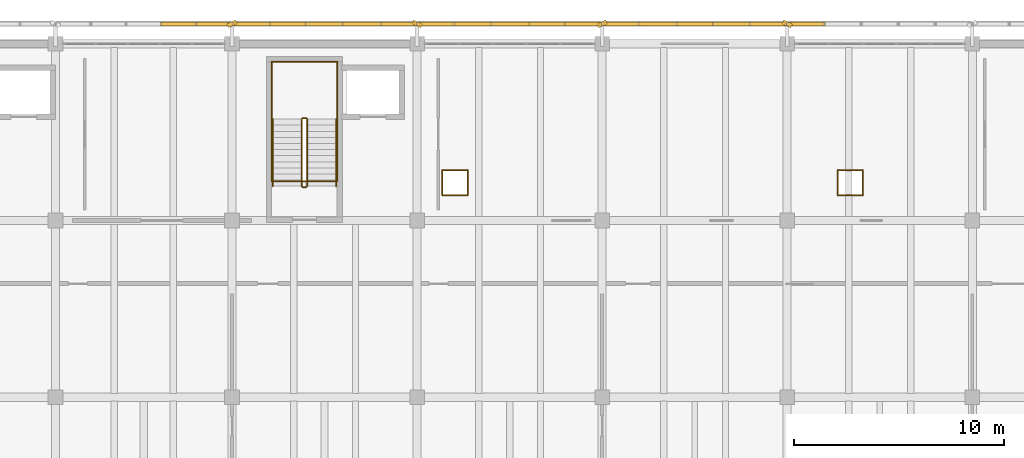
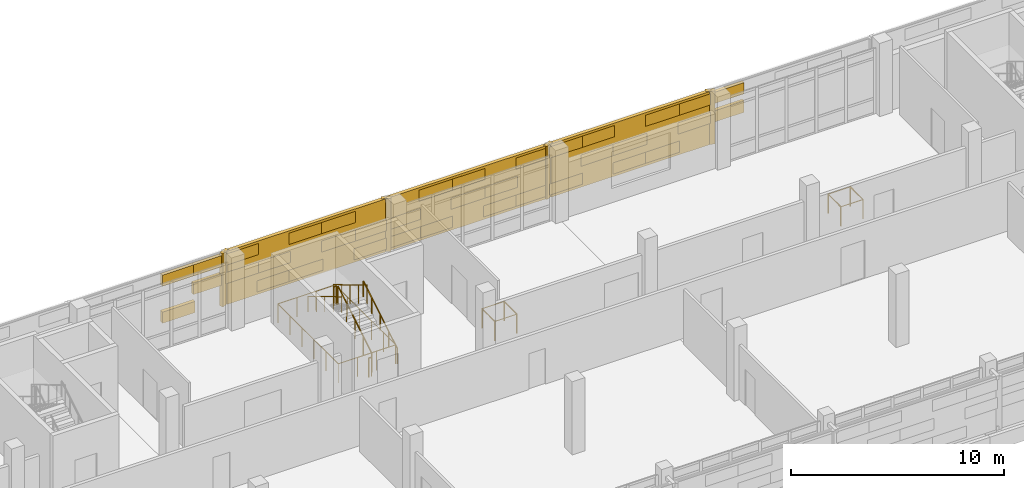
# One storey, part 133 of 137: 40 coverings, 18 railings, 3 shading devices.
"""IFC4 building model written with IfcOpenShell, lengths in metres."""

from ifc_helpers import new_model, si_unit, direction, frame, origin, origin_2d, place, context, subcontext, project, spatial, rectangle, circle, extrude, material, layer, layer_set, type_object, element, save


model = new_model("IFC4")

# Units and contexts
model_context = context("Model", 3, precision=1e-05, world=origin(), true_north=direction((0.0, 1.0)))
body_context = subcontext(model_context, "Body", "Model", "MODEL_VIEW")
ifc_project = project(units=[si_unit("LENGTHUNIT", "METRE"), si_unit("AREAUNIT", "SQUARE_METRE"), si_unit("VOLUMEUNIT", "CUBIC_METRE"), si_unit("PLANEANGLEUNIT", "RADIAN"), si_unit("MASSUNIT", "GRAM", prefix="KILO")], contexts=[model_context])

# Site, building, storey
site_placement = place(None, origin())
site = spatial("IfcSite", under=ifc_project, at=site_placement, CompositionType="ELEMENT")
building_placement = place(site_placement, origin())
building = spatial("IfcBuilding", under=site, at=building_placement, Name="Cinderway Yard Community Centre", CompositionType="ELEMENT")
storey_placement = place(building_placement, frame((0.0, 0.0, 4.800048828125)))
storey = spatial("IfcBuildingStorey", under=building, at=storey_placement, Name="L01", CompositionType="ELEMENT", Elevation=4.800048828125)

# Coverings
ifc_material_1 = material(Name="Brick Masonry", Category="masonry")
ifc_layer = layer(ifc_material_1, 0.18994140625, Name="Brick Masonry")
ifc_layer_set = layer_set([ifc_layer], Name="Brick Masonry")
covering_type = type_object("IfcCoveringType", Name="ENV-COV-BRK-SCREEN", PredefinedType="CLADDING", material=ifc_layer_set)
for number, where, z_axis, x_axis, name in (
    (1, (75.199951171875, 116.14990234375, 0.64990234375), (0.0, 0.0, 1.0), (0.913545457643, 0.406736643076, 0.0), "Deconstructivist folded brick fin 0005"),
    (2, (84.0, 116.14990234375, 0.64990234375), (0.0, 0.0, 1.0), (0.913545457643, -0.406736643076, 0.0), "Deconstructivist folded brick fin 0006"),
    (3, (92.800048828125, 116.14990234375, 0.64990234375), (0.0, 0.0, 1.0), (0.913545457643, 0.406736643076, 0.0), "Deconstructivist folded brick fin 0007"),
    (4, (101.60009765625, 116.14990234375, 0.64990234375), (0.0, 0.0, 1.0), (0.913545457643, -0.406736643076, 0.0), "Deconstructivist folded brick fin 0008"),
):
    element("IfcCovering", number, at=place(storey_placement, frame(where, z_axis=z_axis, x_axis=x_axis)), inside=storey, type_object=covering_type, Name=name, PredefinedType="CLADDING", context=body_context, shape_type="SweptSolid", body=[
        extrude(rectangle(XDim=0.4599609375, YDim=0.199951171875, at=origin_2d()), origin(), (0.0, 0.0, 1.0), 3.050048828125),
    ])
for number, where, z_axis, x_axis, name in (
    (5, (72.679931640625, 116.14990234375, 0.7900390625), (0.0, 0.0, 1.0), (1.0, 0.0, 0.0), "Open-bond perforated brick screen course 00046"),
    (6, (74.360107421875, 116.14990234375, 1.85205078125), (0.0, 0.0, 1.0), (1.0, 0.0, 0.0), "Open-bond perforated brick screen course 00049"),
    (7, (72.679931640625, 116.14990234375, 2.9140625), (0.0, 0.0, 1.0), (1.0, 0.0, 0.0), "Open-bond perforated brick screen course 00052"),
    (8, (74.360107421875, 116.14990234375, 2.9140625), (0.0, 0.0, 1.0), (1.0, 0.0, 0.0), "Open-bond perforated brick screen course 00053"),
):
    element("IfcCovering", number, at=place(storey_placement, frame(where, z_axis=z_axis, x_axis=x_axis)), inside=storey, type_object=covering_type, Name=name, PredefinedType="CLADDING", context=body_context, shape_type="SweptSolid", body=[
        extrude(rectangle(XDim=1.760009765625, YDim=0.18994140625, at=origin_2d()), origin(), (0.0, 0.0, 1.0), 0.64599609375),
    ])
for number, where, z_axis, x_axis, name in (
    (9, (77.840087890625, 116.14990234375, 0.7900390625), (0.0, 0.0, 1.0), (1.0, 0.0, 0.0), "Open-bond perforated brick screen course 00054"),
    (10, (79.60009765625, 116.14990234375, 0.7900390625), (0.0, 0.0, 1.0), (1.0, 0.0, 0.0), "Open-bond perforated brick screen course 00055"),
    (11, (83.1201171875, 116.14990234375, 0.7900390625), (0.0, 0.0, 1.0), (1.0, 0.0, 0.0), "Open-bond perforated brick screen course 00056"),
    (12, (76.080078125, 116.14990234375, 1.85205078125), (0.0, 0.0, 1.0), (1.0, 0.0, 0.0), "Open-bond perforated brick screen course 00057"),
    (13, (77.840087890625, 116.14990234375, 1.85205078125), (0.0, 0.0, 1.0), (1.0, 0.0, 0.0), "Open-bond perforated brick screen course 00058"),
    (14, (81.360107421875, 116.14990234375, 1.85205078125), (0.0, 0.0, 1.0), (1.0, 0.0, 0.0), "Open-bond perforated brick screen course 00059"),
    (15, (83.1201171875, 116.14990234375, 1.85205078125), (0.0, 0.0, 1.0), (1.0, 0.0, 0.0), "Open-bond perforated brick screen course 00060"),
    (16, (76.080078125, 116.14990234375, 2.9140625), (0.0, 0.0, 1.0), (1.0, 0.0, 0.0), "Open-bond perforated brick screen course 00061"),
    (17, (79.60009765625, 116.14990234375, 2.9140625), (0.0, 0.0, 1.0), (1.0, 0.0, 0.0), "Open-bond perforated brick screen course 00062"),
    (18, (81.360107421875, 116.14990234375, 2.9140625), (0.0, 0.0, 1.0), (1.0, 0.0, 0.0), "Open-bond perforated brick screen course 00063"),
    (19, (84.8798828125, 116.14990234375, 0.7900390625), (0.0, 0.0, 1.0), (1.0, 0.0, 0.0), "Open-bond perforated brick screen course 00064"),
    (20, (86.639892578125, 116.14990234375, 0.7900390625), (0.0, 0.0, 1.0), (1.0, 0.0, 0.0), "Open-bond perforated brick screen course 00065"),
    (21, (90.159912109375, 116.14990234375, 0.7900390625), (0.0, 0.0, 1.0), (1.0, 0.0, 0.0), "Open-bond perforated brick screen course 00066"),
    (22, (91.919921875, 116.14990234375, 0.7900390625), (0.0, 0.0, 1.0), (1.0, 0.0, 0.0), "Open-bond perforated brick screen course 00067"),
    (23, (84.8798828125, 116.14990234375, 1.85205078125), (0.0, 0.0, 1.0), (1.0, 0.0, 0.0), "Open-bond perforated brick screen course 00068"),
    (24, (88.39990234375, 116.14990234375, 1.85205078125), (0.0, 0.0, 1.0), (1.0, 0.0, 0.0), "Open-bond perforated brick screen course 00069"),
    (25, (90.159912109375, 116.14990234375, 1.85205078125), (0.0, 0.0, 1.0), (1.0, 0.0, 0.0), "Open-bond perforated brick screen course 00070"),
    (26, (86.639892578125, 116.14990234375, 2.9140625), (0.0, 0.0, 1.0), (1.0, 0.0, 0.0), "Open-bond perforated brick screen course 00071"),
    (27, (88.39990234375, 116.14990234375, 2.9140625), (0.0, 0.0, 1.0), (1.0, 0.0, 0.0), "Open-bond perforated brick screen course 00072"),
    (28, (91.919921875, 116.14990234375, 2.9140625), (0.0, 0.0, 1.0), (1.0, 0.0, 0.0), "Open-bond perforated brick screen course 00073"),
    (29, (93.679931640625, 116.14990234375, 0.7900390625), (0.0, 0.0, 1.0), (1.0, 0.0, 0.0), "Open-bond perforated brick screen course 00074"),
    (30, (97.199951171875, 116.14990234375, 0.7900390625), (0.0, 0.0, 1.0), (1.0, 0.0, 0.0), "Open-bond perforated brick screen course 00075"),
    (31, (98.9599609375, 116.14990234375, 0.7900390625), (0.0, 0.0, 1.0), (1.0, 0.0, 0.0), "Open-bond perforated brick screen course 00076"),
    (32, (95.43994140625, 116.14990234375, 1.85205078125), (0.0, 0.0, 1.0), (1.0, 0.0, 0.0), "Open-bond perforated brick screen course 00077"),
    (33, (97.199951171875, 116.14990234375, 1.85205078125), (0.0, 0.0, 1.0), (1.0, 0.0, 0.0), "Open-bond perforated brick screen course 00078"),
    (34, (100.719970703125, 116.14990234375, 1.85205078125), (0.0, 0.0, 1.0), (1.0, 0.0, 0.0), "Open-bond perforated brick screen course 00079"),
    (35, (93.679931640625, 116.14990234375, 2.9140625), (0.0, 0.0, 1.0), (1.0, 0.0, 0.0), "Open-bond perforated brick screen course 00080"),
    (36, (95.43994140625, 116.14990234375, 2.9140625), (0.0, 0.0, 1.0), (1.0, 0.0, 0.0), "Open-bond perforated brick screen course 00081"),
    (37, (98.9599609375, 116.14990234375, 2.9140625), (0.0, 0.0, 1.0), (1.0, 0.0, 0.0), "Open-bond perforated brick screen course 00082"),
    (38, (100.719970703125, 116.14990234375, 2.9140625), (0.0, 0.0, 1.0), (1.0, 0.0, 0.0), "Open-bond perforated brick screen course 00083"),
    (39, (102.47998046875, 116.14990234375, 1.85205078125), (0.0, 0.0, 1.0), (1.0, 0.0, 0.0), "Open-bond perforated brick screen course 00087"),
    (40, (102.47998046875, 116.14990234375, 2.9140625), (0.0, 0.0, 1.0), (1.0, 0.0, 0.0), "Open-bond perforated brick screen course 00091"),
):
    element("IfcCovering", number, at=place(storey_placement, frame(where, z_axis=z_axis, x_axis=x_axis)), inside=storey, type_object=covering_type, Name=name, PredefinedType="CLADDING", context=body_context, shape_type="SweptSolid", body=[
        extrude(rectangle(XDim=1.840087890625, YDim=0.18994140625, at=origin_2d()), origin(), (0.0, 0.0, 1.0), 0.64599609375),
    ])

# Shading devices
shading_device_type = type_object("IfcShadingDeviceType", Name="ENV-SHD-BRICKSCREEN-A", PredefinedType="USERDEFINED", material=ifc_material_1)
for number, where, z_axis, x_axis, name in (
    (41, (79.60009765625, 116.14990234375, 0.64990234375), (0.0, 0.0, 1.0), (1.0, 0.0, 0.0), "Street Perforated Brick Screen 0041"),
    (42, (88.39990234375, 116.14990234375, 0.64990234375), (0.0, 0.0, 1.0), (1.0, 0.0, 0.0), "Street Perforated Brick Screen 0049"),
    (43, (97.199951171875, 116.14990234375, 0.64990234375), (0.0, 0.0, 1.0), (1.0, 0.0, 0.0), "Street Perforated Brick Screen 0057"),
):
    element("IfcShadingDevice", number, at=place(storey_placement, frame(where, z_axis=z_axis, x_axis=x_axis)), inside=storey, type_object=shading_device_type, Name=name, ObjectType="PERFORATED BRICK SCREEN", PredefinedType="USERDEFINED", context=body_context, shape_type="SweptSolid", body=[
        extrude(rectangle(XDim=8.60009765625, YDim=0.18994140625, at=origin_2d()), origin(), (0.0, 0.0, 1.0), 3.050048828125),
    ])

# Railings
ifc_material_2 = material(Name="Painted Galvanised Steel", Category="steel")
railing_type_1 = type_object("IfcRailingType", Name="INT-RAL-GRD112", PredefinedType="GUARDRAIL", material=ifc_material_2)
railing_1_placement = place(storey_placement, frame((78.77001953125, 108.429931640625, 0.175048828125)))
element("IfcRailing", 44, at=railing_1_placement, inside=storey, type_object=railing_type_1, Name="L01 ST-02 stair guard 1", PredefinedType="GUARDRAIL", context=body_context, shape_type="SweptSolid", body=[
    extrude(circle(Radius=0.02392578125, at=origin_2d()), frame((0.0, 0.0, 1.076171875), z_axis=(0.0, 0.856224141417, 0.516604509905), x_axis=(-1.0, 0.0, 0.0)), (0.0, 0.0, 1.0), 3.725830078125),
    extrude(circle(Radius=0.02099609375, at=origin_2d()), origin(), (0.0, 0.0, 1.0), 1.052001953125),
    extrude(circle(Radius=0.02099609375, at=origin_2d()), frame((0.0, 0.797607421875, 0.481201171875)), (0.0, 0.0, 1.0), 1.052001953125),
    extrude(circle(Radius=0.02099609375, at=origin_2d()), frame((0.0, 1.59521484375, 0.96240234375)), (0.0, 0.0, 1.0), 1.052001953125),
    extrude(circle(Radius=0.02099609375, at=origin_2d()), frame((0.0, 2.392578125, 1.443603515625)), (0.0, 0.0, 1.0), 1.052001953125),
    extrude(circle(Radius=0.02099609375, at=origin_2d()), frame((0.0, 3.190185546875, 1.9248046875)), (0.0, 0.0, 1.0), 1.052001953125),
])
railing_2_placement = place(storey_placement, frame((78.719970703125, 111.669921875, 2.099853515625)))
element("IfcRailing", 45, at=railing_2_placement, inside=storey, type_object=railing_type_1, Name="L01 ST-02 stair guard 2", PredefinedType="GUARDRAIL", context=body_context, shape_type="SweptSolid", body=[
    extrude(circle(Radius=0.02392578125, at=origin_2d()), frame((0.0, 0.0, 1.076171875), z_axis=(-1.0, 0.0, 0.0), x_axis=(0.0, -1.0, 0.0)), (0.0, 0.0, 1.0), 0.159912109375),
    extrude(circle(Radius=0.02099609375, at=origin_2d()), origin(), (0.0, 0.0, 1.0), 1.052001953125),
    extrude(circle(Radius=0.02099609375, at=origin_2d()), frame((-0.159912109375, 0.0, 0.0)), (0.0, 0.0, 1.0), 1.052001953125),
])
railing_3_placement = place(storey_placement, frame((78.510009765625, 111.6201171875, 2.27490234375)))
element("IfcRailing", 46, at=railing_3_placement, inside=storey, type_object=railing_type_1, Name="L01 ST-02 stair guard 3", PredefinedType="GUARDRAIL", context=body_context, shape_type="SweptSolid", body=[
    extrude(circle(Radius=0.02392578125, at=origin_2d()), frame((0.0, 0.0, 1.076171875), z_axis=(0.0, -0.856195157123, 0.516652545643), x_axis=(1.0, 0.0, 0.0)), (0.0, 0.0, 1.0), 3.72607421875),
    extrude(circle(Radius=0.02099609375, at=origin_2d()), origin(), (0.0, 0.0, 1.0), 1.052001953125),
    extrude(circle(Radius=0.02099609375, at=origin_2d()), frame((0.0, -0.797607421875, 0.481201171875)), (0.0, 0.0, 1.0), 1.052001953125),
    extrude(circle(Radius=0.02099609375, at=origin_2d()), frame((0.0, -1.59521484375, 0.96240234375)), (0.0, 0.0, 1.0), 1.052001953125),
    extrude(circle(Radius=0.02099609375, at=origin_2d()), frame((0.0, -2.392578125, 1.44384765625)), (0.0, 0.0, 1.0), 1.052001953125),
    extrude(circle(Radius=0.02099609375, at=origin_2d()), frame((0.0, -3.190185546875, 1.925048828125)), (0.0, 0.0, 1.0), 1.052001953125),
])
railing_4_placement = place(storey_placement, frame((78.719970703125, 108.3798828125, 0.0)))
element("IfcRailing", 47, at=railing_4_placement, inside=storey, type_object=railing_type_1, Name="L01 ST-02 stair guard 4", PredefinedType="GUARDRAIL", context=body_context, shape_type="SweptSolid", body=[
    extrude(circle(Radius=0.02392578125, at=origin_2d()), frame((0.0, 0.0, 1.076171875), z_axis=(-1.0, 0.0, 0.0), x_axis=(0.0, -1.0, 0.0)), (0.0, 0.0, 1.0), 0.159912109375),
    extrude(circle(Radius=0.02099609375, at=origin_2d()), origin(), (0.0, 0.0, 1.0), 1.052001953125),
    extrude(circle(Radius=0.02099609375, at=origin_2d()), frame((-0.159912109375, 0.0, 0.0)), (0.0, 0.0, 1.0), 1.052001953125),
])
railing_5_placement = place(storey_placement, frame((80.199951171875, 108.669921875, 0.0)))
element("IfcRailing", 48, at=railing_5_placement, inside=storey, type_object=railing_type_1, Name="Service void perimeter guard L01 091", PredefinedType="GUARDRAIL", context=body_context, shape_type="SweptSolid", body=[
    extrude(circle(Radius=0.02392578125, at=origin_2d()), frame((0.0, 0.0, 1.09619140625), z_axis=(0.0, 1.0, 0.0), x_axis=(-1.0, 0.0, 0.0)), (0.0, 0.0, 1.0), 5.68017578125),
    extrude(circle(Radius=0.02099609375, at=origin_2d()), origin(), (0.0, 0.0, 1.0), 1.072021484375),
    extrude(circle(Radius=0.02099609375, at=origin_2d()), frame((0.0, 1.135986328125, 0.0)), (0.0, 0.0, 1.0), 1.072021484375),
    extrude(circle(Radius=0.02099609375, at=origin_2d()), frame((0.0, 2.27197265625, 0.0)), (0.0, 0.0, 1.0), 1.072021484375),
    extrude(circle(Radius=0.02099609375, at=origin_2d()), frame((0.0, 3.408203125, 0.0)), (0.0, 0.0, 1.0), 1.072021484375),
    extrude(circle(Radius=0.02099609375, at=origin_2d()), frame((0.0, 4.544189453125, 0.0)), (0.0, 0.0, 1.0), 1.072021484375),
    extrude(circle(Radius=0.02099609375, at=origin_2d()), frame((0.0, 5.68017578125, 0.0)), (0.0, 0.0, 1.0), 1.072021484375),
])
railing_6_placement = place(storey_placement, frame((80.199951171875, 114.35009765625, 0.0)))
element("IfcRailing", 49, at=railing_6_placement, inside=storey, type_object=railing_type_1, Name="Service void perimeter guard L01 092", PredefinedType="GUARDRAIL", context=body_context, shape_type="SweptSolid", body=[
    extrude(circle(Radius=0.02392578125, at=origin_2d()), frame((0.0, 0.0, 1.09619140625), z_axis=(-1.0, 0.0, 0.0), x_axis=(0.0, -1.0, 0.0)), (0.0, 0.0, 1.0), 3.119873046875),
    extrude(circle(Radius=0.02099609375, at=origin_2d()), origin(), (0.0, 0.0, 1.0), 1.072021484375),
    extrude(circle(Radius=0.02099609375, at=origin_2d()), frame((-1.0400390625, 0.0, 0.0)), (0.0, 0.0, 1.0), 1.072021484375),
    extrude(circle(Radius=0.02099609375, at=origin_2d()), frame((-2.079833984375, 0.0, 0.0)), (0.0, 0.0, 1.0), 1.072021484375),
    extrude(circle(Radius=0.02099609375, at=origin_2d()), frame((-3.119873046875, 0.0, 0.0)), (0.0, 0.0, 1.0), 1.072021484375),
])
railing_7_placement = place(storey_placement, frame((77.080078125, 114.35009765625, 0.0)))
element("IfcRailing", 50, at=railing_7_placement, inside=storey, type_object=railing_type_1, Name="Service void perimeter guard L01 093", PredefinedType="GUARDRAIL", context=body_context, shape_type="SweptSolid", body=[
    extrude(circle(Radius=0.02392578125, at=origin_2d()), frame((0.0, 0.0, 1.09619140625), z_axis=(0.0, -1.0, 0.0), x_axis=(1.0, 0.0, 0.0)), (0.0, 0.0, 1.0), 5.68017578125),
    extrude(circle(Radius=0.02099609375, at=origin_2d()), origin(), (0.0, 0.0, 1.0), 1.072021484375),
    extrude(circle(Radius=0.02099609375, at=origin_2d()), frame((0.0, -1.135986328125, 0.0)), (0.0, 0.0, 1.0), 1.072021484375),
    extrude(circle(Radius=0.02099609375, at=origin_2d()), frame((0.0, -2.27197265625, 0.0)), (0.0, 0.0, 1.0), 1.072021484375),
    extrude(circle(Radius=0.02099609375, at=origin_2d()), frame((0.0, -3.408203125, 0.0)), (0.0, 0.0, 1.0), 1.072021484375),
    extrude(circle(Radius=0.02099609375, at=origin_2d()), frame((0.0, -4.544189453125, 0.0)), (0.0, 0.0, 1.0), 1.072021484375),
    extrude(circle(Radius=0.02099609375, at=origin_2d()), frame((0.0, -5.68017578125, 0.0)), (0.0, 0.0, 1.0), 1.072021484375),
])
railing_8_placement = place(storey_placement, frame((77.080078125, 108.669921875, 0.0)))
element("IfcRailing", 51, at=railing_8_placement, inside=storey, type_object=railing_type_1, Name="Service void perimeter guard L01 094", PredefinedType="GUARDRAIL", context=body_context, shape_type="SweptSolid", body=[
    extrude(circle(Radius=0.02392578125, at=origin_2d()), frame((0.0, 0.0, 1.09619140625), z_axis=(1.0, 0.0, 0.0), x_axis=(0.0, 1.0, 0.0)), (0.0, 0.0, 1.0), 3.119873046875),
    extrude(circle(Radius=0.02099609375, at=origin_2d()), origin(), (0.0, 0.0, 1.0), 1.072021484375),
    extrude(circle(Radius=0.02099609375, at=origin_2d()), frame((1.0400390625, 0.0, 0.0)), (0.0, 0.0, 1.0), 1.072021484375),
    extrude(circle(Radius=0.02099609375, at=origin_2d()), frame((2.079833984375, 0.0, 0.0)), (0.0, 0.0, 1.0), 1.072021484375),
    extrude(circle(Radius=0.02099609375, at=origin_2d()), frame((3.119873046875, 0.0, 0.0)), (0.0, 0.0, 1.0), 1.072021484375),
])
railing_9_placement = place(storey_placement, frame((85.199951171875, 108.0, 0.0)))
element("IfcRailing", 52, at=railing_9_placement, inside=storey, type_object=railing_type_1, Name="Service void perimeter guard L01 095", PredefinedType="GUARDRAIL", context=body_context, shape_type="SweptSolid", body=[
    extrude(circle(Radius=0.02392578125, at=origin_2d()), frame((0.0, 0.0, 1.09619140625), z_axis=(1.0, 0.0, 0.0), x_axis=(0.0, 1.0, 0.0)), (0.0, 0.0, 1.0), 1.199951171875),
    extrude(circle(Radius=0.02099609375, at=origin_2d()), origin(), (0.0, 0.0, 1.0), 1.072021484375),
    extrude(circle(Radius=0.02099609375, at=origin_2d()), frame((1.199951171875, 0.0, 0.0)), (0.0, 0.0, 1.0), 1.072021484375),
])
railing_10_placement = place(storey_placement, frame((86.39990234375, 108.0, 0.0)))
element("IfcRailing", 53, at=railing_10_placement, inside=storey, type_object=railing_type_1, Name="Service void perimeter guard L01 096", PredefinedType="GUARDRAIL", context=body_context, shape_type="SweptSolid", body=[
    extrude(circle(Radius=0.02392578125, at=origin_2d()), frame((0.0, 0.0, 1.09619140625), z_axis=(0.0, 1.0, 0.0), x_axis=(-1.0, 0.0, 0.0)), (0.0, 0.0, 1.0), 1.199951171875),
    extrude(circle(Radius=0.02099609375, at=origin_2d()), origin(), (0.0, 0.0, 1.0), 1.072021484375),
    extrude(circle(Radius=0.02099609375, at=origin_2d()), frame((0.0, 1.199951171875, 0.0)), (0.0, 0.0, 1.0), 1.072021484375),
])
railing_11_placement = place(storey_placement, frame((86.39990234375, 109.199951171875, 0.0)))
element("IfcRailing", 54, at=railing_11_placement, inside=storey, type_object=railing_type_1, Name="Service void perimeter guard L01 097", PredefinedType="GUARDRAIL", context=body_context, shape_type="SweptSolid", body=[
    extrude(circle(Radius=0.02392578125, at=origin_2d()), frame((0.0, 0.0, 1.09619140625), z_axis=(-1.0, 0.0, 0.0), x_axis=(0.0, -1.0, 0.0)), (0.0, 0.0, 1.0), 1.199951171875),
    extrude(circle(Radius=0.02099609375, at=origin_2d()), origin(), (0.0, 0.0, 1.0), 1.072021484375),
    extrude(circle(Radius=0.02099609375, at=origin_2d()), frame((-1.199951171875, 0.0, 0.0)), (0.0, 0.0, 1.0), 1.072021484375),
])
railing_12_placement = place(storey_placement, frame((85.199951171875, 109.199951171875, 0.0)))
element("IfcRailing", 55, at=railing_12_placement, inside=storey, type_object=railing_type_1, Name="Service void perimeter guard L01 098", PredefinedType="GUARDRAIL", context=body_context, shape_type="SweptSolid", body=[
    extrude(circle(Radius=0.02392578125, at=origin_2d()), frame((0.0, 0.0, 1.09619140625), z_axis=(0.0, -1.0, 0.0), x_axis=(1.0, 0.0, 0.0)), (0.0, 0.0, 1.0), 1.199951171875),
    extrude(circle(Radius=0.02099609375, at=origin_2d()), origin(), (0.0, 0.0, 1.0), 1.072021484375),
    extrude(circle(Radius=0.02099609375, at=origin_2d()), frame((0.0, -1.199951171875, 0.0)), (0.0, 0.0, 1.0), 1.072021484375),
])
railing_13_placement = place(storey_placement, frame((104.0, 108.0, 0.0)))
element("IfcRailing", 56, at=railing_13_placement, inside=storey, type_object=railing_type_1, Name="Service void perimeter guard L01 103", PredefinedType="GUARDRAIL", context=body_context, shape_type="SweptSolid", body=[
    extrude(circle(Radius=0.02392578125, at=origin_2d()), frame((0.0, 0.0, 1.09619140625), z_axis=(1.0, 0.0, 0.0), x_axis=(0.0, 1.0, 0.0)), (0.0, 0.0, 1.0), 1.199951171875),
    extrude(circle(Radius=0.02099609375, at=origin_2d()), origin(), (0.0, 0.0, 1.0), 1.072021484375),
    extrude(circle(Radius=0.02099609375, at=origin_2d()), frame((1.199951171875, 0.0, 0.0)), (0.0, 0.0, 1.0), 1.072021484375),
])
railing_14_placement = place(storey_placement, frame((105.199951171875, 108.0, 0.0)))
element("IfcRailing", 57, at=railing_14_placement, inside=storey, type_object=railing_type_1, Name="Service void perimeter guard L01 104", PredefinedType="GUARDRAIL", context=body_context, shape_type="SweptSolid", body=[
    extrude(circle(Radius=0.02392578125, at=origin_2d()), frame((0.0, 0.0, 1.09619140625), z_axis=(0.0, 1.0, 0.0), x_axis=(-1.0, 0.0, 0.0)), (0.0, 0.0, 1.0), 1.199951171875),
    extrude(circle(Radius=0.02099609375, at=origin_2d()), origin(), (0.0, 0.0, 1.0), 1.072021484375),
    extrude(circle(Radius=0.02099609375, at=origin_2d()), frame((0.0, 1.199951171875, 0.0)), (0.0, 0.0, 1.0), 1.072021484375),
])
railing_15_placement = place(storey_placement, frame((105.199951171875, 109.199951171875, 0.0)))
element("IfcRailing", 58, at=railing_15_placement, inside=storey, type_object=railing_type_1, Name="Service void perimeter guard L01 105", PredefinedType="GUARDRAIL", context=body_context, shape_type="SweptSolid", body=[
    extrude(circle(Radius=0.02392578125, at=origin_2d()), frame((0.0, 0.0, 1.09619140625), z_axis=(-1.0, 0.0, 0.0), x_axis=(0.0, -1.0, 0.0)), (0.0, 0.0, 1.0), 1.199951171875),
    extrude(circle(Radius=0.02099609375, at=origin_2d()), origin(), (0.0, 0.0, 1.0), 1.072021484375),
    extrude(circle(Radius=0.02099609375, at=origin_2d()), frame((-1.199951171875, 0.0, 0.0)), (0.0, 0.0, 1.0), 1.072021484375),
])
railing_16_placement = place(storey_placement, frame((104.0, 109.199951171875, 0.0)))
element("IfcRailing", 59, at=railing_16_placement, inside=storey, type_object=railing_type_1, Name="Service void perimeter guard L01 106", PredefinedType="GUARDRAIL", context=body_context, shape_type="SweptSolid", body=[
    extrude(circle(Radius=0.02392578125, at=origin_2d()), frame((0.0, 0.0, 1.09619140625), z_axis=(0.0, -1.0, 0.0), x_axis=(1.0, 0.0, 0.0)), (0.0, 0.0, 1.0), 1.199951171875),
    extrude(circle(Radius=0.02099609375, at=origin_2d()), origin(), (0.0, 0.0, 1.0), 1.072021484375),
    extrude(circle(Radius=0.02099609375, at=origin_2d()), frame((0.0, -1.199951171875, 0.0)), (0.0, 0.0, 1.0), 1.072021484375),
])
railing_type_2 = type_object("IfcRailingType", Name="INT-RAL-HND090", PredefinedType="HANDRAIL", material=ifc_material_2)
railing_17_placement = place(storey_placement, frame((80.14990234375, 108.429931640625, 0.175048828125)))
element("IfcRailing", 60, at=railing_17_placement, inside=storey, type_object=railing_type_2, Name="L01 ST-02 stair handrail 1", PredefinedType="HANDRAIL", context=body_context, shape_type="SweptSolid", body=[
    extrude(circle(Radius=0.02392578125, at=origin_2d()), frame((0.0, 0.0, 0.8759765625), z_axis=(0.0, 0.856224141417, 0.516604509905), x_axis=(-1.0, 0.0, 0.0)), (0.0, 0.0, 1.0), 3.725830078125),
    extrude(circle(Radius=0.02099609375, at=origin_2d()), origin(), (0.0, 0.0, 1.0), 0.851806640625),
    extrude(circle(Radius=0.02099609375, at=origin_2d()), frame((0.0, 0.797607421875, 0.481201171875)), (0.0, 0.0, 1.0), 0.851806640625),
    extrude(circle(Radius=0.02099609375, at=origin_2d()), frame((0.0, 1.59521484375, 0.96240234375)), (0.0, 0.0, 1.0), 0.851806640625),
    extrude(circle(Radius=0.02099609375, at=origin_2d()), frame((0.0, 2.392578125, 1.443603515625)), (0.0, 0.0, 1.0), 0.851806640625),
    extrude(circle(Radius=0.02099609375, at=origin_2d()), frame((0.0, 3.190185546875, 1.9248046875)), (0.0, 0.0, 1.0), 0.851806640625),
])
railing_18_placement = place(storey_placement, frame((77.1298828125, 111.6201171875, 2.27490234375)))
element("IfcRailing", 61, at=railing_18_placement, inside=storey, type_object=railing_type_2, Name="L01 ST-02 stair handrail 2", PredefinedType="HANDRAIL", context=body_context, shape_type="SweptSolid", body=[
    extrude(circle(Radius=0.02392578125, at=origin_2d()), frame((0.0, 0.0, 0.8759765625), z_axis=(0.0, -0.856195157123, 0.516652545643), x_axis=(1.0, 0.0, 0.0)), (0.0, 0.0, 1.0), 3.72607421875),
    extrude(circle(Radius=0.02099609375, at=origin_2d()), origin(), (0.0, 0.0, 1.0), 0.851806640625),
    extrude(circle(Radius=0.02099609375, at=origin_2d()), frame((0.0, -0.797607421875, 0.481201171875)), (0.0, 0.0, 1.0), 0.851806640625),
    extrude(circle(Radius=0.02099609375, at=origin_2d()), frame((0.0, -1.59521484375, 0.96240234375)), (0.0, 0.0, 1.0), 0.851806640625),
    extrude(circle(Radius=0.02099609375, at=origin_2d()), frame((0.0, -2.392578125, 1.44384765625)), (0.0, 0.0, 1.0), 0.851806640625),
    extrude(circle(Radius=0.02099609375, at=origin_2d()), frame((0.0, -3.190185546875, 1.925048828125)), (0.0, 0.0, 1.0), 0.851806640625),
])

save(model, "model.ifc")
